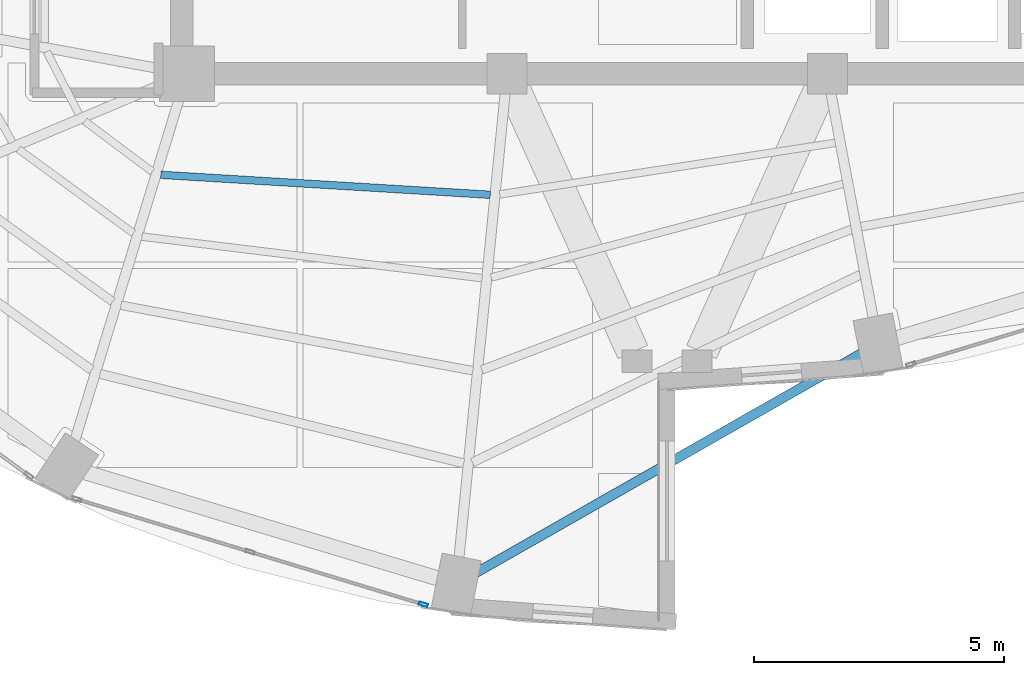
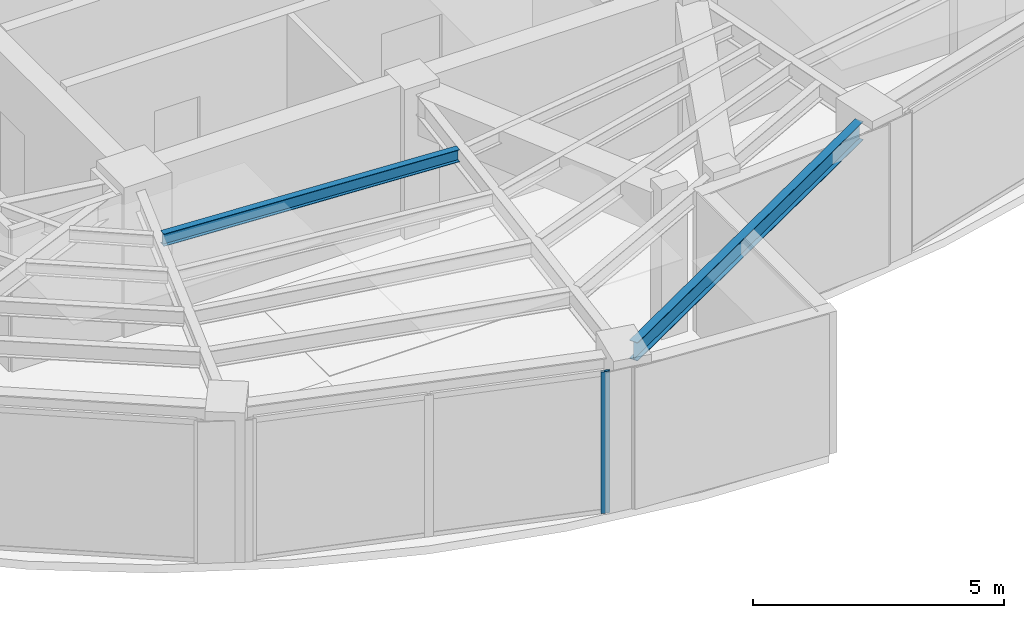
# One storey, part 5 of 23: 2 beams, 1 member, 1 element without a shape of its own.
"""IFC4 building model written with IfcOpenShell, lengths in metres."""

import ifcopenshell
import ifcopenshell.guid

model = None  # the IFC model being written
_history = None  # IfcOwnerHistory: only IFC2X3 demands one
_inside = {}  # id of a spatial element -> (the spatial element, [elements in it])
_under = {}  # id of a project, library or spatial element -> (it, [spatial elements below it])
_declared = {}  # id of a project -> (the project, [libraries it declares])
_typed = {}  # id of a type object -> (the type object, [elements of that type])
_made_of = {}  # id of a material, layer set ... -> (it, [elements and type objects made of it])


def new_model(schema):
    """Start an empty IFC model of exactly this schema.

    Asked for "IFC4X3", IfcOpenShell would pick the latest addendum, in which some entities
    have other attributes; the version numbers below select the first issue.
    IFC2X3 requires an IfcOwnerHistory on every rooted entity: one is made here for all.
    """
    global model, _history
    if schema == "IFC4X3":
        model = ifcopenshell.file(schema_version=(4, 3, 0, 0))
    else:
        model = ifcopenshell.file(schema=schema)
    _inside.clear()
    _under.clear()
    _declared.clear()
    _typed.clear()
    _made_of.clear()
    _history = None
    if model.schema == "IFC2X3":
        org = make("IfcOrganization", Name="unknown")
        user = make(
            "IfcPersonAndOrganization",
            ThePerson=make("IfcPerson", FamilyName="unknown"),
            TheOrganization=org,
        )
        app = make(
            "IfcApplication",
            ApplicationDeveloper=org,
            Version="unknown",
            ApplicationFullName="unknown",
            ApplicationIdentifier="unknown",
        )
        _history = make(
            "IfcOwnerHistory",
            OwningUser=user,
            OwningApplication=app,
            ChangeAction="ADDED",
            CreationDate=0,
        )
    return model


def make(cls, **values):
    """One entity of the class cls with the attributes given. An attribute that is None is left unset."""
    return model.create_entity(
        cls, **{name: value for name, value in values.items() if value is not None}
    )


def rooted(cls, **values):
    """An entity with a GlobalId (a new one), such as an element, a storey or a relation."""
    return make(cls, GlobalId=ifcopenshell.guid.new(), OwnerHistory=_history, **values)


def si_unit(unit_type, name, prefix=None):
    """IfcSIUnit, for example si_unit("LENGTHUNIT", "METRE", prefix="MILLI")."""
    return make("IfcSIUnit", UnitType=unit_type, Prefix=prefix, Name=name)


def assignment(units):
    """IfcUnitAssignment: the units of a project."""
    return None if units is None else make("IfcUnitAssignment", Units=units)


def point(xyz):
    """IfcCartesianPoint."""
    return None if xyz is None else make("IfcCartesianPoint", Coordinates=xyz)


def direction(xyz):
    """IfcDirection."""
    return None if xyz is None else make("IfcDirection", DirectionRatios=xyz)


def frame(location, z_axis=None, x_axis=None):
    """IfcAxis2Placement3D, a coordinate frame: its origin and axes. An axis left out is left unset."""
    return make(
        "IfcAxis2Placement3D",
        Location=point(location),
        Axis=direction(z_axis),
        RefDirection=direction(x_axis),
    )


def frame_2d(location, x_axis=None):
    """IfcAxis2Placement2D, a coordinate frame in the plane: its origin and x axis."""
    return make(
        "IfcAxis2Placement2D", Location=point(location), RefDirection=direction(x_axis)
    )


def origin():
    """The frame at (0, 0, 0) with its axes left unset."""
    return frame((0.0, 0.0, 0.0))


def origin_2d():
    """The frame at (0, 0) in the plane with its x axis left unset."""
    return frame_2d((0.0, 0.0))


def place(relative_to, where):
    """IfcLocalPlacement: puts the frame where relative to a parent placement (None: the world)."""
    return make(
        "IfcLocalPlacement", PlacementRelTo=relative_to, RelativePlacement=where
    )


def context(
    kind, dimensions, precision=None, world=None, true_north=None, identifier=None
):
    """IfcGeometricRepresentationContext, for example the 3D "Model" context."""
    return make(
        "IfcGeometricRepresentationContext",
        ContextIdentifier=identifier,
        ContextType=kind,
        CoordinateSpaceDimension=dimensions,
        Precision=precision,
        WorldCoordinateSystem=world,
        TrueNorth=true_north,
    )


def subcontext(parent, identifier, kind, view, scale=None):
    """IfcGeometricRepresentationSubContext, for example "Body" below "Model"."""
    return make(
        "IfcGeometricRepresentationSubContext",
        ContextIdentifier=identifier,
        ContextType=kind,
        ParentContext=parent,
        TargetScale=scale,
        TargetView=view,
    )


def project(units=None, contexts=None):
    """IfcProject with its units and contexts."""
    return rooted(
        "IfcProject",
        Name="project",
        RepresentationContexts=contexts,
        UnitsInContext=assignment(units),
    )


def spatial(cls, under=None, at=None, **own):
    """A site, building, storey or space (cls), placed at a placement, below another one or the project."""
    s = rooted(cls, ObjectPlacement=at, **own)
    if under is not None:
        _under.setdefault(under.id(), (under, []))[1].append(s)
    return s


def profile(cls, at=None, kind="AREA", **sizes):
    """A parametric profile (cls). Its sizes go by their IFC names, for example OverallWidth=200.0."""
    return make(cls, ProfileType=kind, Position=at, **sizes)


def hollow_rectangle(**sizes):
    """IfcRectangleHollowProfileDef."""
    return profile("IfcRectangleHollowProfileDef", **sizes)


def i_section(**sizes):
    """IfcIShapeProfileDef."""
    return profile("IfcIShapeProfileDef", **sizes)


def extrude(swept, where, along, depth):
    """IfcExtrudedAreaSolid: the profile swept, set in the frame where, extruded along a direction by depth."""
    return make(
        "IfcExtrudedAreaSolid",
        SweptArea=swept,
        Position=where,
        ExtrudedDirection=direction(along),
        Depth=depth,
    )


def shape(context_of_items, identifier, shape_type, items):
    """IfcShapeRepresentation: the items that make up one representation, for example the "Body"."""
    return make(
        "IfcShapeRepresentation",
        ContextOfItems=context_of_items,
        RepresentationIdentifier=identifier,
        RepresentationType=shape_type,
        Items=items,
    )


def material(Name=None, Category=None):
    """IfcMaterial."""
    return make("IfcMaterial", Name=Name, Category=Category)


def layer(
    of_material, thickness, ventilated=None, Name=None, Category=None, Priority=None
):
    """IfcMaterialLayer: one layer of a wall or slab, of a material (None: an air gap)."""
    return make(
        "IfcMaterialLayer",
        Material=of_material,
        LayerThickness=thickness,
        IsVentilated=ventilated,
        Name=Name,
        Category=Category,
        Priority=Priority,
    )


def layer_set(layers, Name=None):
    """IfcMaterialLayerSet."""
    return make("IfcMaterialLayerSet", MaterialLayers=layers, LayerSetName=Name)


def material_profile(
    of_material, cross_section, Name=None, Category=None, Priority=None
):
    """IfcMaterialProfile: a cross section and its material."""
    return make(
        "IfcMaterialProfile",
        Name=Name,
        Material=of_material,
        Profile=cross_section,
        Priority=Priority,
        Category=Category,
    )


def profile_set(profiles, Name=None, composite=None):
    """IfcMaterialProfileSet."""
    return make(
        "IfcMaterialProfileSet",
        Name=Name,
        MaterialProfiles=profiles,
        CompositeProfile=composite,
    )


def made_of(thing, what):
    """Note that an element or type object is made of a material, layer set ...; save() writes the relation."""
    if what is not None:
        _made_of.setdefault(what.id(), (what, []))[1].append(thing)
    return thing


def type_object(cls, material=None, **own):
    """A type object (cls), such as IfcWallType, which elements share."""
    return made_of(rooted(cls, **own), material)


def element(
    cls,
    number,
    at=None,
    inside=None,
    cuts=None,
    type_object=None,
    material=None,
    context=None,
    identifier="Body",
    shape_type=None,
    held_by="IfcProductDefinitionShape",
    body=None,
    shapes=None,
    **own,
):
    """One element of the class cls, such as IfcWall. Its Tag is "e" and its number.

    at: its placement. inside: the storey or other place that contains it. cuts: it is an
    opening in that element (IfcRelVoidsElement). A single representation is given by context,
    identifier, shape_type and body (its items); several are given by shapes. held_by: the class
    of the entity that holds the representations. save() writes the other relations.
    """
    e = rooted(cls, Tag="e%d" % number, ObjectPlacement=at, **own)
    if body is not None:
        shapes = [shape(context, identifier, shape_type, body)]
    if shapes is not None:
        e.Representation = make(held_by, Representations=shapes)
    if inside is not None:
        _inside.setdefault(inside.id(), (inside, []))[1].append(e)
    if cuts is not None:
        rooted(
            "IfcRelVoidsElement", RelatingBuildingElement=cuts, RelatedOpeningElement=e
        )
    if type_object is not None:
        _typed.setdefault(type_object.id(), (type_object, []))[1].append(e)
    return made_of(e, material)


def aggregate(whole, parts):
    """IfcRelAggregates: a whole, such as a stair, and the parts it consists of."""
    return rooted("IfcRelAggregates", RelatingObject=whole, RelatedObjects=parts)


def save(model, path):
    """Write the relations noted so far, then the file.

    IfcRelAggregates (storeys below a building ...), IfcRelContainedInSpatialStructure (elements
    in a storey), IfcRelDefinesByType, IfcRelAssociatesMaterial and IfcRelDeclares: one each for
    every whole, place, type object, material and project.
    """
    for whole, parts in _under.values():
        aggregate(whole, parts)
    for where, things in _inside.values():
        rooted(
            "IfcRelContainedInSpatialStructure",
            RelatedElements=things,
            RelatingStructure=where,
        )
    for kind, things in _typed.values():
        rooted("IfcRelDefinesByType", RelatedObjects=things, RelatingType=kind)
    for what, things in _made_of.values():
        rooted("IfcRelAssociatesMaterial", RelatedObjects=things, RelatingMaterial=what)
    for by, libraries in _declared.values():
        rooted("IfcRelDeclares", RelatingContext=by, RelatedDefinitions=libraries)
    model.write(path)


model = new_model("IFC4")

# Units and contexts
model_context = context("Model", 3, precision=1e-05, world=origin(), true_north=direction((0.0, 1.0)))
body_context = subcontext(model_context, "Body", "Model", "MODEL_VIEW")
ifc_project = project(units=[si_unit("LENGTHUNIT", "METRE"), si_unit("AREAUNIT", "SQUARE_METRE"), si_unit("VOLUMEUNIT", "CUBIC_METRE"), si_unit("PLANEANGLEUNIT", "RADIAN"), si_unit("MASSUNIT", "GRAM", prefix="KILO")], contexts=[model_context])

# Site, building, storey
site_placement = place(None, origin())
site = spatial("IfcSite", under=ifc_project, at=site_placement, CompositionType="ELEMENT")
building_placement = place(site_placement, origin())
building = spatial("IfcBuilding", under=site, at=building_placement, Name="Lazwardi Medical Tower", CompositionType="ELEMENT")
storey_placement = place(building_placement, frame((0.0, 0.0, 234.9599609375)))
storey = spatial("IfcBuildingStorey", under=building, at=storey_placement, Name="L61", CompositionType="ELEMENT", Elevation=234.9599609375)

# Beams
ifc_material_1 = material(Name="Steel S355", Category="steel")
ifc_material_profile_1 = material_profile(ifc_material_1, i_section(OverallWidth=0.14990234375, OverallDepth=0.300048828125, WebThickness=0.007080078125, FlangeThickness=0.0107421875, at=origin_2d()), Name="IPE 300")
ifc_profile_set_1 = profile_set([ifc_material_profile_1], Name="Steel S355")
beam_type_1 = type_object("IfcBeamType", Name="BM-SJ-03", PredefinedType="JOIST", material=ifc_profile_set_1)
beam_1_placement = place(storey_placement, frame((25.879150390625, 18.3798828125, 3.298095703125), z_axis=(0.998165515862, -0.060544223044, 0.0), x_axis=(0.060544223044, 0.998165515862, 0.0)))
element("IfcBeam", 1, at=beam_1_placement, inside=storey, type_object=beam_type_1, Name="Secondary joist SJ-03 R4 B15 L61", PredefinedType="JOIST", context=body_context, shape_type="SweptSolid", body=[
    extrude(i_section(OverallWidth=0.14990234375, OverallDepth=0.300048828125, WebThickness=0.007080078125, FlangeThickness=0.0107421875, at=origin_2d()), origin(), (0.0, 0.0, 1.0), 6.59716796875),
])
ifc_material_profile_2 = material_profile(ifc_material_1, i_section(OverallWidth=0.18994140625, OverallDepth=0.449951171875, WebThickness=0.009521484375, FlangeThickness=0.0146484375, at=origin_2d()), Name="IPE 450")
ifc_profile_set_2 = profile_set([ifc_material_profile_2], Name="Steel S355")
beam_type_2 = type_object("IfcBeamType", Name="BM-SP-01", PredefinedType="SPANDREL", material=ifc_profile_set_2)
beam_2_placement = place(storey_placement, frame((32.125, 10.394775390625, 3.22314453125), z_axis=(0.868954808466, 0.494891443494, 0.0), x_axis=(-0.494891443494, 0.868954808466, 0.0)))
element("IfcBeam", 2, at=beam_2_placement, inside=storey, type_object=beam_type_2, Name="Spandrel beam SP-01 B16 L61", PredefinedType="SPANDREL", context=body_context, shape_type="SweptSolid", body=[
    extrude(i_section(OverallWidth=0.18994140625, OverallDepth=0.449951171875, WebThickness=0.009521484375, FlangeThickness=0.0146484375, at=origin_2d()), origin(), (0.0, 0.0, 1.0), 8.918701171875),
])

# Curtain wall, member
ifc_material_2 = material(Name="Anodised bronze aluminium and solar control glazing", Category="aluminium")
ifc_layer = layer(ifc_material_2, 0.18994140625)
ifc_layer_set = layer_set([ifc_layer], Name="Anodised bronze aluminium and solar control glazing")
curtain_wall_type = type_object("IfcCurtainWallType", Name="CW-SYS-04", PredefinedType="NOTDEFINED", material=ifc_layer_set)
curtain_wall_placement = place(storey_placement, origin())
curtain_wall = element("IfcCurtainWall", 3, at=curtain_wall_placement, inside=storey, type_object=curtain_wall_type, Name="L61 Unitised bronze curtain wall CW-04", PredefinedType="NOTDEFINED")
ifc_material_3 = material(Name="Anodised bronze aluminium", Category="aluminium")
ifc_material_profile_3 = material_profile(ifc_material_3, hollow_rectangle(XDim=0.06494140625, YDim=0.179931640625, WallThickness=0.00390625, at=origin_2d()), Name="ALU-MULLION 180x65x4")
ifc_profile_set_3 = profile_set([ifc_material_profile_3], Name="Anodised bronze aluminium")
member_type = type_object("IfcMemberType", Name="CW-MUL-03", PredefinedType="MULLION", material=ifc_profile_set_3)
member_placement = place(storey_placement, frame((31.126953125, 9.79296875, 0.0), z_axis=(0.0, 0.0, 1.0), x_axis=(0.290581889515, 0.956850126972, 0.0)))
member = element("IfcMember", 4, at=member_placement, type_object=member_type, Name="CW-04 mullion 3", PredefinedType="MULLION", context=body_context, shape_type="SweptSolid", body=[
    extrude(hollow_rectangle(XDim=0.06494140625, YDim=0.179931640625, WallThickness=0.00390625, at=origin_2d()), origin(), (0.0, 0.0, 1.0), 3.447998046875),
])
aggregate(curtain_wall, [member])

save(model, "model.ifc")
